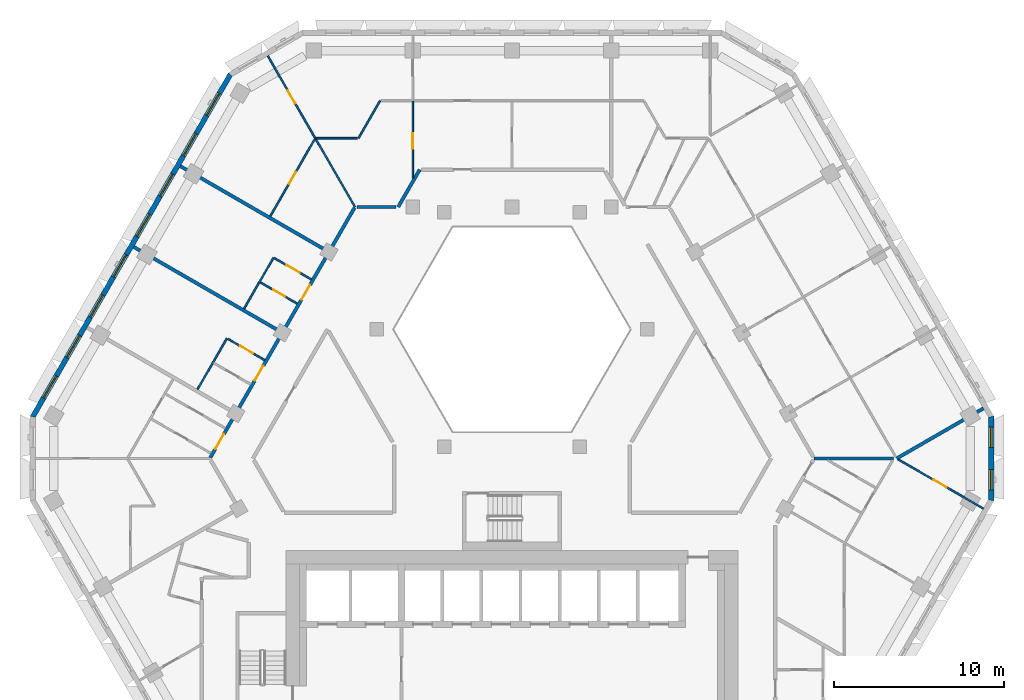
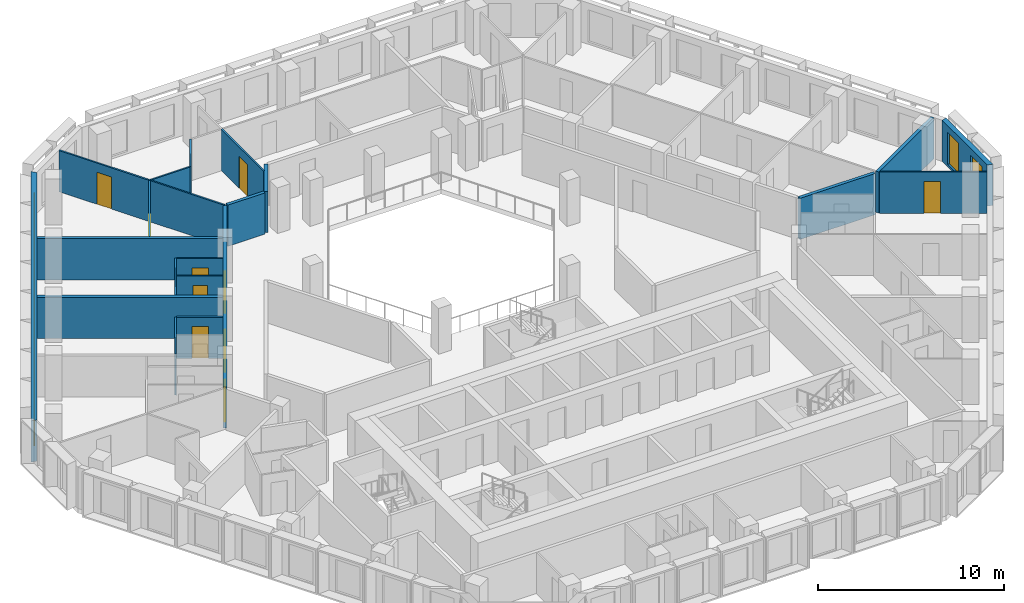
# One storey, part 7 of 17: 20 walls, 10 doors, 10 windows, 20 openings.
"""IFC4 building model written with IfcOpenShell, lengths in metres."""

from ifc_helpers import new_model, si_unit, direction, frame, frame_2d, origin, place, context, subcontext, project, spatial, polyline, rectangle, outline, extrude, material, layer, layer_set, type_object, element, fill, save


model = new_model("IFC4")

# Units and contexts
model_context = context("Model", 3, precision=1e-05, world=origin(), true_north=direction((0.0, 1.0)))
body_context = subcontext(model_context, "Body", "Model", "MODEL_VIEW")
ifc_project = project(units=[si_unit("LENGTHUNIT", "METRE"), si_unit("AREAUNIT", "SQUARE_METRE"), si_unit("VOLUMEUNIT", "CUBIC_METRE"), si_unit("PLANEANGLEUNIT", "RADIAN"), si_unit("MASSUNIT", "GRAM", prefix="KILO")], contexts=[model_context])

# Site, building, storey
site_placement = place(None, origin())
site = spatial("IfcSite", under=ifc_project, at=site_placement, CompositionType="ELEMENT")
building_placement = place(site_placement, origin())
building = spatial("IfcBuilding", under=site, at=building_placement, Name="Beryl Residences", CompositionType="ELEMENT")
storey_placement = place(building_placement, frame((0.0, 0.0, 120.60009765625)))
storey = spatial("IfcBuildingStorey", under=building, at=storey_placement, Name="L36", CompositionType="ELEMENT", Elevation=120.60009765625)

# Wall, openings, windows
ifc_material_1 = material(Name="Composite metal panel with mineral wool insulation")
ifc_layer_1 = layer(ifc_material_1, 0.300048828125)
ifc_layer_set_1 = layer_set([ifc_layer_1], Name="ES1 pale metal composite panel wall 300 mm")
wall_type_1 = type_object("IfcWallType", Name="ES1 pale metal composite panel wall 300 mm", PredefinedType="SOLIDWALL", material=ifc_layer_set_1)
wall_1_placement = place(storey_placement, frame((-16.554931640625, 23.02490234375, 0.0), z_axis=(0.0, 0.0, 1.0), x_axis=(-0.500020536353, -0.866013546791, 0.0)))
wall_1 = element("IfcWall", 1, at=wall_1_placement, inside=storey, type_object=wall_type_1, Name="ES1 external wall L36 NW", PredefinedType="SOLIDWALL", context=body_context, shape_type="SweptSolid", body=[
    extrude(outline(polyline([(0.0, -0.14990234375), (23.3251953125, -0.14990234375), (23.244873046875, 0.14990234375), (0.080322265625, 0.14990234375), (0.0, -0.14990234375)])), origin(), (0.0, 0.0, 1.0), 2.699951171875),
])
opening_1_placement = place(wall_1_placement, frame((1.31396484375, 0.0, 0.14990234375)))
opening_1 = element("IfcOpeningElement", 2, at=opening_1_placement, cuts=wall_1, Name="Opening W1", PredefinedType="OPENING", context=body_context, shape_type="SweptSolid", body=[
    extrude(rectangle(XDim=1.5, YDim=2.10009765625, at=frame_2d((0.75, 1.050048828125))), frame((0.0, 0.159912109375, 0.0), z_axis=(0.0, -1.0, 0.0), x_axis=(1.0, 0.0, 0.0)), (0.0, 0.0, 1.0), 0.320068359375),
])
opening_2_placement = place(wall_1_placement, frame((4.055908203125, 0.0, 0.14990234375)))
opening_2 = element("IfcOpeningElement", 3, at=opening_2_placement, cuts=wall_1, Name="Opening W1", PredefinedType="OPENING", context=body_context, shape_type="SweptSolid", body=[
    extrude(rectangle(XDim=1.5, YDim=2.10009765625, at=frame_2d((0.75, 1.050048828125))), frame((0.0, 0.159912109375, 0.0), z_axis=(0.0, -1.0, 0.0), x_axis=(1.0, 0.0, 0.0)), (0.0, 0.0, 1.0), 0.320068359375),
])
opening_3_placement = place(wall_1_placement, frame((6.799072265625, 0.0, 0.14990234375)))
opening_3 = element("IfcOpeningElement", 4, at=opening_3_placement, cuts=wall_1, Name="Opening W1", PredefinedType="OPENING", context=body_context, shape_type="SweptSolid", body=[
    extrude(rectangle(XDim=1.5, YDim=2.10009765625, at=frame_2d((0.75, 1.050048828125))), frame((0.0, 0.159912109375, 0.0), z_axis=(0.0, -1.0, 0.0), x_axis=(1.0, 0.0, 0.0)), (0.0, 0.0, 1.0), 0.320068359375),
])
opening_4_placement = place(wall_1_placement, frame((9.541015625, 0.0, 0.14990234375)))
opening_4 = element("IfcOpeningElement", 5, at=opening_4_placement, cuts=wall_1, Name="Opening W1", PredefinedType="OPENING", context=body_context, shape_type="SweptSolid", body=[
    extrude(rectangle(XDim=1.5, YDim=2.10009765625, at=frame_2d((0.75, 1.050048828125))), frame((0.0, 0.159912109375, 0.0), z_axis=(0.0, -1.0, 0.0), x_axis=(1.0, 0.0, 0.0)), (0.0, 0.0, 1.0), 0.320068359375),
])
opening_5_placement = place(wall_1_placement, frame((12.284912109375, 0.0, 0.14990234375)))
opening_5 = element("IfcOpeningElement", 6, at=opening_5_placement, cuts=wall_1, Name="Opening W1", PredefinedType="OPENING", context=body_context, shape_type="SweptSolid", body=[
    extrude(rectangle(XDim=1.5, YDim=2.10009765625, at=frame_2d((0.75, 1.050048828125))), frame((0.0, 0.159912109375, 0.0), z_axis=(0.0, -1.0, 0.0), x_axis=(1.0, 0.0, 0.0)), (0.0, 0.0, 1.0), 0.320068359375),
])
opening_6_placement = place(wall_1_placement, frame((15.027099609375, 0.0, 0.14990234375)))
opening_6 = element("IfcOpeningElement", 7, at=opening_6_placement, cuts=wall_1, Name="Opening W1", PredefinedType="OPENING", context=body_context, shape_type="SweptSolid", body=[
    extrude(rectangle(XDim=1.5, YDim=2.10009765625, at=frame_2d((0.75, 1.050048828125))), frame((0.0, 0.159912109375, 0.0), z_axis=(0.0, -1.0, 0.0), x_axis=(1.0, 0.0, 0.0)), (0.0, 0.0, 1.0), 0.320068359375),
])
opening_7_placement = place(wall_1_placement, frame((17.76904296875, 0.0, 0.14990234375)))
opening_7 = element("IfcOpeningElement", 8, at=opening_7_placement, cuts=wall_1, Name="Opening W1", PredefinedType="OPENING", context=body_context, shape_type="SweptSolid", body=[
    extrude(rectangle(XDim=1.5, YDim=2.10009765625, at=frame_2d((0.75, 1.050048828125))), frame((0.0, 0.159912109375, 0.0), z_axis=(0.0, -1.0, 0.0), x_axis=(1.0, 0.0, 0.0)), (0.0, 0.0, 1.0), 0.320068359375),
])
opening_8_placement = place(wall_1_placement, frame((20.511962890625, 0.0, 0.14990234375)))
opening_8 = element("IfcOpeningElement", 9, at=opening_8_placement, cuts=wall_1, Name="Opening W1", PredefinedType="OPENING", context=body_context, shape_type="SweptSolid", body=[
    extrude(rectangle(XDim=1.5, YDim=2.10009765625, at=frame_2d((0.75, 1.050048828125))), frame((0.0, 0.159912109375, 0.0), z_axis=(0.0, -1.0, 0.0), x_axis=(1.0, 0.0, 0.0)), (0.0, 0.0, 1.0), 0.320068359375),
])
ifc_material_2 = material(Name="Aluminium and clear glass", Category="aluminium")
window_type_1 = type_object("IfcWindowType", Name="W1 cell window 1500 x 2100 mm", PartitioningType="SINGLE_PANEL", PredefinedType="WINDOW", material=ifc_material_2)
window_1_placement = place(opening_1_placement, origin())
window_1 = element("IfcWindow", 10, at=window_1_placement, inside=storey, type_object=window_type_1, Name="W1 window L36 NW 1", OverallHeight=2.10009765625, OverallWidth=1.5, PartitioningType="SINGLE_PANEL", PredefinedType="WINDOW", context=body_context, shape_type="SweptSolid", body=[
    extrude(rectangle(XDim=1.5, YDim=2.10009765625, at=frame_2d((0.75, 1.050048828125))), frame((0.0, 0.030029296875, 0.0), z_axis=(0.0, -1.0, 0.0), x_axis=(1.0, 0.0, 0.0)), (0.0, 0.0, 1.0), 0.06005859375),
])
fill(opening_1, window_1)
window_2_placement = place(opening_2_placement, origin())
window_2 = element("IfcWindow", 11, at=window_2_placement, inside=storey, type_object=window_type_1, Name="W1 window L36 NW 2", OverallHeight=2.10009765625, OverallWidth=1.5, PartitioningType="SINGLE_PANEL", PredefinedType="WINDOW", context=body_context, shape_type="SweptSolid", body=[
    extrude(rectangle(XDim=1.5, YDim=2.10009765625, at=frame_2d((0.75, 1.050048828125))), frame((0.0, 0.030029296875, 0.0), z_axis=(0.0, -1.0, 0.0), x_axis=(1.0, 0.0, 0.0)), (0.0, 0.0, 1.0), 0.06005859375),
])
fill(opening_2, window_2)
window_3_placement = place(opening_3_placement, origin())
window_3 = element("IfcWindow", 12, at=window_3_placement, inside=storey, type_object=window_type_1, Name="W1 window L36 NW 3", OverallHeight=2.10009765625, OverallWidth=1.5, PartitioningType="SINGLE_PANEL", PredefinedType="WINDOW", context=body_context, shape_type="SweptSolid", body=[
    extrude(rectangle(XDim=1.5, YDim=2.10009765625, at=frame_2d((0.75, 1.050048828125))), frame((0.0, 0.030029296875, 0.0), z_axis=(0.0, -1.0, 0.0), x_axis=(1.0, 0.0, 0.0)), (0.0, 0.0, 1.0), 0.06005859375),
])
fill(opening_3, window_3)
window_4_placement = place(opening_4_placement, origin())
window_4 = element("IfcWindow", 13, at=window_4_placement, inside=storey, type_object=window_type_1, Name="W1 window L36 NW 4", OverallHeight=2.10009765625, OverallWidth=1.5, PartitioningType="SINGLE_PANEL", PredefinedType="WINDOW", context=body_context, shape_type="SweptSolid", body=[
    extrude(rectangle(XDim=1.5, YDim=2.10009765625, at=frame_2d((0.75, 1.050048828125))), frame((0.0, 0.030029296875, 0.0), z_axis=(0.0, -1.0, 0.0), x_axis=(1.0, 0.0, 0.0)), (0.0, 0.0, 1.0), 0.06005859375),
])
fill(opening_4, window_4)
window_5_placement = place(opening_5_placement, origin())
window_5 = element("IfcWindow", 14, at=window_5_placement, inside=storey, type_object=window_type_1, Name="W1 window L36 NW 5", OverallHeight=2.10009765625, OverallWidth=1.5, PartitioningType="SINGLE_PANEL", PredefinedType="WINDOW", context=body_context, shape_type="SweptSolid", body=[
    extrude(rectangle(XDim=1.5, YDim=2.10009765625, at=frame_2d((0.75, 1.050048828125))), frame((0.0, 0.030029296875, 0.0), z_axis=(0.0, -1.0, 0.0), x_axis=(1.0, 0.0, 0.0)), (0.0, 0.0, 1.0), 0.06005859375),
])
fill(opening_5, window_5)
window_6_placement = place(opening_6_placement, origin())
window_6 = element("IfcWindow", 15, at=window_6_placement, inside=storey, type_object=window_type_1, Name="W1 window L36 NW 6", OverallHeight=2.10009765625, OverallWidth=1.5, PartitioningType="SINGLE_PANEL", PredefinedType="WINDOW", context=body_context, shape_type="SweptSolid", body=[
    extrude(rectangle(XDim=1.5, YDim=2.10009765625, at=frame_2d((0.75, 1.050048828125))), frame((0.0, 0.030029296875, 0.0), z_axis=(0.0, -1.0, 0.0), x_axis=(1.0, 0.0, 0.0)), (0.0, 0.0, 1.0), 0.06005859375),
])
fill(opening_6, window_6)
window_7_placement = place(opening_7_placement, origin())
window_7 = element("IfcWindow", 16, at=window_7_placement, inside=storey, type_object=window_type_1, Name="W1 window L36 NW 7", OverallHeight=2.10009765625, OverallWidth=1.5, PartitioningType="SINGLE_PANEL", PredefinedType="WINDOW", context=body_context, shape_type="SweptSolid", body=[
    extrude(rectangle(XDim=1.5, YDim=2.10009765625, at=frame_2d((0.75, 1.050048828125))), frame((0.0, 0.030029296875, 0.0), z_axis=(0.0, -1.0, 0.0), x_axis=(1.0, 0.0, 0.0)), (0.0, 0.0, 1.0), 0.06005859375),
])
fill(opening_7, window_7)
window_8_placement = place(opening_8_placement, origin())
window_8 = element("IfcWindow", 17, at=window_8_placement, inside=storey, type_object=window_type_1, Name="W1 window L36 NW 8", OverallHeight=2.10009765625, OverallWidth=1.5, PartitioningType="SINGLE_PANEL", PredefinedType="WINDOW", context=body_context, shape_type="SweptSolid", body=[
    extrude(rectangle(XDim=1.5, YDim=2.10009765625, at=frame_2d((0.75, 1.050048828125))), frame((0.0, 0.030029296875, 0.0), z_axis=(0.0, -1.0, 0.0), x_axis=(1.0, 0.0, 0.0)), (0.0, 0.0, 1.0), 0.06005859375),
])
fill(opening_8, window_8)

wall_2_placement = place(storey_placement, frame((28.197998046875, -2.10009765625, 0.0), z_axis=(0.0, 0.0, 1.0), x_axis=(0.0, 1.0, 0.0)))
wall_2 = element("IfcWall", 18, at=wall_2_placement, inside=storey, type_object=wall_type_1, Name="ES1 external wall L36 SE-NE", PredefinedType="SOLIDWALL", context=body_context, shape_type="SweptSolid", body=[
    extrude(outline(polyline([(0.0, -0.14990234375), (5.0, -0.14990234375), (4.919677734375, 0.14990234375), (0.080322265625, 0.14990234375), (0.0, -0.14990234375)])), origin(), (0.0, 0.0, 1.0), 2.699951171875),
])
opening_9_placement = place(wall_2_placement, frame((0.64990234375, 0.0, 0.14990234375)))
opening_9 = element("IfcOpeningElement", 19, at=opening_9_placement, cuts=wall_2, Name="Opening W2", PredefinedType="OPENING", context=body_context, shape_type="SweptSolid", body=[
    extrude(rectangle(XDim=1.199951171875, YDim=2.10009765625, at=frame_2d((0.60009765625, 1.050048828125))), frame((0.0, 0.159912109375, 0.0), z_axis=(0.0, -1.0, 0.0), x_axis=(1.0, 0.0, 0.0)), (0.0, 0.0, 1.0), 0.320068359375),
])
opening_10_placement = place(wall_2_placement, frame((3.14990234375, 0.0, 0.14990234375)))
opening_10 = element("IfcOpeningElement", 20, at=opening_10_placement, cuts=wall_2, Name="Opening W2", PredefinedType="OPENING", context=body_context, shape_type="SweptSolid", body=[
    extrude(rectangle(XDim=1.199951171875, YDim=2.10009765625, at=frame_2d((0.60009765625, 1.050048828125))), frame((0.0, 0.159912109375, 0.0), z_axis=(0.0, -1.0, 0.0), x_axis=(1.0, 0.0, 0.0)), (0.0, 0.0, 1.0), 0.320068359375),
])
ifc_material_3 = material(Name="Aluminium and clear glass", Category="aluminium")
window_type_2 = type_object("IfcWindowType", Name="W2 chamfer window 1200 x 2100 mm", PartitioningType="SINGLE_PANEL", PredefinedType="WINDOW", material=ifc_material_3)
window_9_placement = place(opening_9_placement, origin())
window_9 = element("IfcWindow", 21, at=window_9_placement, inside=storey, type_object=window_type_2, Name="W2 window L36 SE-NE 1", OverallHeight=2.10009765625, OverallWidth=1.199951171875, PartitioningType="SINGLE_PANEL", PredefinedType="WINDOW", context=body_context, shape_type="SweptSolid", body=[
    extrude(rectangle(XDim=1.199951171875, YDim=2.10009765625, at=frame_2d((0.60009765625, 1.050048828125))), frame((0.0, 0.030029296875, 0.0), z_axis=(0.0, -1.0, 0.0), x_axis=(1.0, 0.0, 0.0)), (0.0, 0.0, 1.0), 0.06005859375),
])
fill(opening_9, window_9)
window_10_placement = place(opening_10_placement, origin())
window_10 = element("IfcWindow", 22, at=window_10_placement, inside=storey, type_object=window_type_2, Name="W2 window L36 SE-NE 2", OverallHeight=2.10009765625, OverallWidth=1.199951171875, PartitioningType="SINGLE_PANEL", PredefinedType="WINDOW", context=body_context, shape_type="SweptSolid", body=[
    extrude(rectangle(XDim=1.199951171875, YDim=2.10009765625, at=frame_2d((0.60009765625, 1.050048828125))), frame((0.0, 0.030029296875, 0.0), z_axis=(0.0, -1.0, 0.0), x_axis=(1.0, 0.0, 0.0)), (0.0, 0.0, 1.0), 0.06005859375),
])
fill(opening_10, window_10)

# Wall, opening, door
ifc_material_4 = material(Name="Gypsum board partition on steel studs", Category="steel")
ifc_layer_2 = layer(ifc_material_4, 0.10009765625)
ifc_layer_set_2 = layer_set([ifc_layer_2], Name="PT1 partition 100 mm gypsum board on steel studs")
wall_type_2 = type_object("IfcWallType", Name="PT1 partition 100 mm gypsum board on steel studs", PredefinedType="PARTITIONING", material=ifc_layer_set_2)
wall_3_placement = place(storey_placement, frame((-14.3701171875, 24.090087890625, 0.0), z_axis=(0.0, 0.0, 1.0), x_axis=(0.50002438799, -0.866011322914, 0.0)))
wall_3 = element("IfcWall", 23, at=wall_3_placement, inside=storey, type_object=wall_type_2, Name="Wall PT1 L36 001", PredefinedType="PARTITIONING", context=body_context, shape_type="SweptSolid", body=[
    extrude(rectangle(XDim=10.265625, YDim=0.10009765625, at=frame_2d((5.1328125, 0.0))), origin(), (0.0, 0.0, 1.0), 2.699951171875),
])
opening_11_placement = place(wall_3_placement, frame((2.346923828125, 0.0, 0.0)))
opening_11 = element("IfcOpeningElement", 24, at=opening_11_placement, cuts=wall_3, Name="Opening D1013", PredefinedType="OPENING", context=body_context, shape_type="SweptSolid", body=[
    extrude(rectangle(XDim=0.89990234375, YDim=2.10009765625, at=frame_2d((0.449951171875, 1.050048828125))), frame((0.0, 0.06005859375, 0.0), z_axis=(0.0, -1.0, 0.0), x_axis=(1.0, 0.0, 0.0)), (0.0, 0.0, 1.0), 0.1201171875),
])
ifc_material_5 = material(Name="Timber door leaf", Category="wood")
door_type_1 = type_object("IfcDoorType", Name="D2 room door 900 x 2100 mm", OperationType="SINGLE_SWING_LEFT", PredefinedType="DOOR", material=ifc_material_5)
door_1_placement = place(opening_11_placement, origin())
door_1 = element("IfcDoor", 25, at=door_1_placement, inside=storey, type_object=door_type_1, Name="Door D1013 L36 001", OperationType="SINGLE_SWING_LEFT", OverallHeight=2.10009765625, OverallWidth=0.89990234375, PredefinedType="DOOR", context=body_context, shape_type="SweptSolid", body=[
    extrude(rectangle(XDim=0.89990234375, YDim=2.10009765625, at=frame_2d((0.449951171875, 1.050048828125))), frame((0.0, 0.02490234375, 0.0), z_axis=(0.0, -1.0, 0.0), x_axis=(1.0, 0.0, 0.0)), (0.0, 0.0, 1.0), 0.050048828125),
])
fill(opening_11, door_1)

wall_4_placement = place(storey_placement, frame((-16.72900390625, 7.44189453125, 0.0), z_axis=(0.0, 0.0, 1.0), x_axis=(0.865983051302, -0.500073349477, 0.0)))
wall_4 = element("IfcWall", 26, at=wall_4_placement, inside=storey, type_object=wall_type_2, Name="Wall PT1 L36 015", PredefinedType="PARTITIONING", context=body_context, shape_type="SweptSolid", body=[
    extrude(rectangle(XDim=2.50927734375, YDim=0.10009765625, at=frame_2d((1.254638671875, 0.0))), origin(), (0.0, 0.0, 1.0), 2.699951171875),
])
opening_12_placement = place(wall_4_placement, frame((0.8291015625, 0.0, 0.0)))
opening_12 = element("IfcOpeningElement", 27, at=opening_12_placement, cuts=wall_4, Name="Opening D1019", PredefinedType="OPENING", context=body_context, shape_type="SweptSolid", body=[
    extrude(rectangle(XDim=0.89990234375, YDim=2.10009765625, at=frame_2d((0.449951171875, 1.050048828125))), frame((0.0, 0.06005859375, 0.0), z_axis=(0.0, -1.0, 0.0), x_axis=(1.0, 0.0, 0.0)), (0.0, 0.0, 1.0), 0.1201171875),
])
door_2_placement = place(opening_12_placement, origin())
door_2 = element("IfcDoor", 28, at=door_2_placement, inside=storey, type_object=door_type_1, Name="Door D1019 L36 001", OperationType="SINGLE_SWING_LEFT", OverallHeight=2.10009765625, OverallWidth=0.89990234375, PredefinedType="DOOR", context=body_context, shape_type="SweptSolid", body=[
    extrude(rectangle(XDim=0.89990234375, YDim=2.10009765625, at=frame_2d((0.449951171875, 1.050048828125))), frame((0.0, 0.02490234375, 0.0), z_axis=(0.0, -1.0, 0.0), x_axis=(1.0, 0.0, 0.0)), (0.0, 0.0, 1.0), 0.050048828125),
])
fill(opening_12, door_2)

wall_5_placement = place(storey_placement, frame((-13.987060546875, 12.19189453125, 0.0), z_axis=(0.0, 0.0, 1.0), x_axis=(0.865983051302, -0.500073349477, 0.0)))
wall_5 = element("IfcWall", 29, at=wall_5_placement, inside=storey, type_object=wall_type_2, Name="Wall PT1 L36 016", PredefinedType="PARTITIONING", context=body_context, shape_type="SweptSolid", body=[
    extrude(rectangle(XDim=2.50927734375, YDim=0.10009765625, at=frame_2d((1.254638671875, 0.0))), origin(), (0.0, 0.0, 1.0), 2.699951171875),
])
opening_13_placement = place(wall_5_placement, frame((0.8291015625, 0.0, 0.0)))
opening_13 = element("IfcOpeningElement", 30, at=opening_13_placement, cuts=wall_5, Name="Opening D1016", PredefinedType="OPENING", context=body_context, shape_type="SweptSolid", body=[
    extrude(rectangle(XDim=0.89990234375, YDim=2.10009765625, at=frame_2d((0.449951171875, 1.050048828125))), frame((0.0, 0.06005859375, 0.0), z_axis=(0.0, -1.0, 0.0), x_axis=(1.0, 0.0, 0.0)), (0.0, 0.0, 1.0), 0.1201171875),
])
door_3_placement = place(opening_13_placement, origin())
door_3 = element("IfcDoor", 31, at=door_3_placement, inside=storey, type_object=door_type_1, Name="Door D1016 L36 001", OperationType="SINGLE_SWING_RIGHT", OverallHeight=2.10009765625, OverallWidth=0.89990234375, PredefinedType="DOOR", context=body_context, shape_type="SweptSolid", body=[
    extrude(rectangle(XDim=0.89990234375, YDim=2.10009765625, at=frame_2d((0.449951171875, 1.050048828125))), frame((0.0, 0.02490234375, 0.0), z_axis=(0.0, -1.0, 0.0), x_axis=(1.0, 0.0, 0.0)), (0.0, 0.0, 1.0), 0.050048828125),
])
fill(opening_13, door_3)

wall_6_placement = place(storey_placement, frame((22.72900390625, 0.343017578125, 0.0), z_axis=(0.0, 0.0, 1.0), x_axis=(0.865996608848, -0.500049870977, 0.0)))
wall_6 = element("IfcWall", 32, at=wall_6_placement, inside=storey, type_object=wall_type_2, Name="Wall PT1 L36 020", PredefinedType="PARTITIONING", context=body_context, shape_type="SweptSolid", body=[
    extrude(rectangle(XDim=5.78759765625, YDim=0.10009765625, at=frame_2d((2.893798828125, 0.0))), origin(), (0.0, 0.0, 1.0), 2.699951171875),
])
opening_14_placement = place(wall_6_placement, frame((2.385986328125, 0.0, 0.0)))
opening_14 = element("IfcOpeningElement", 33, at=opening_14_placement, cuts=wall_6, Name="Opening D1047", PredefinedType="OPENING", context=body_context, shape_type="SweptSolid", body=[
    extrude(rectangle(XDim=0.89990234375, YDim=2.10009765625, at=frame_2d((0.449951171875, 1.050048828125))), frame((0.0, 0.06005859375, 0.0), z_axis=(0.0, -1.0, 0.0), x_axis=(1.0, 0.0, 0.0)), (0.0, 0.0, 1.0), 0.1201171875),
])
door_4_placement = place(opening_14_placement, origin())
door_4 = element("IfcDoor", 34, at=door_4_placement, inside=storey, type_object=door_type_1, Name="Door D1047 L36 001", OperationType="SINGLE_SWING_LEFT", OverallHeight=2.10009765625, OverallWidth=0.89990234375, PredefinedType="DOOR", context=body_context, shape_type="SweptSolid", body=[
    extrude(rectangle(XDim=0.89990234375, YDim=2.10009765625, at=frame_2d((0.449951171875, 1.050048828125))), frame((0.0, 0.02490234375, 0.0), z_axis=(0.0, -1.0, 0.0), x_axis=(1.0, 0.0, 0.0)), (0.0, 0.0, 1.0), 0.050048828125),
])
fill(opening_14, door_4)

wall_7_placement = place(storey_placement, frame((-14.81005859375, 10.76708984375, 0.0), z_axis=(0.0, 0.0, 1.0), x_axis=(0.866038211682, -0.499977815414, 0.0)))
wall_7 = element("IfcWall", 35, at=wall_7_placement, inside=storey, type_object=wall_type_2, Name="Wall PT1 L36 021", PredefinedType="PARTITIONING", context=body_context, shape_type="SweptSolid", body=[
    extrude(rectangle(XDim=2.51025390625, YDim=0.10009765625, at=frame_2d((1.255126953125, 0.0))), origin(), (0.0, 0.0, 1.0), 2.699951171875),
])
opening_15_placement = place(wall_7_placement, frame((0.8798828125, 0.0, 0.0)))
opening_15 = element("IfcOpeningElement", 36, at=opening_15_placement, cuts=wall_7, Name="Opening D1017", PredefinedType="OPENING", context=body_context, shape_type="SweptSolid", body=[
    extrude(rectangle(XDim=0.800048828125, YDim=2.10009765625, at=frame_2d((0.39990234375, 1.050048828125))), frame((0.0, 0.06005859375, 0.0), z_axis=(0.0, -1.0, 0.0), x_axis=(1.0, 0.0, 0.0)), (0.0, 0.0, 1.0), 0.1201171875),
])
ifc_material_6 = material(Name="Timber door leaf", Category="wood")
door_type_2 = type_object("IfcDoorType", Name="D3 bathroom door 800 x 2100 mm", OperationType="SINGLE_SWING_LEFT", PredefinedType="DOOR", material=ifc_material_6)
door_5_placement = place(opening_15_placement, origin())
door_5 = element("IfcDoor", 37, at=door_5_placement, inside=storey, type_object=door_type_2, Name="Door D1017 L36 001", OperationType="SINGLE_SWING_LEFT", OverallHeight=2.10009765625, OverallWidth=0.800048828125, PredefinedType="DOOR", context=body_context, shape_type="SweptSolid", body=[
    extrude(rectangle(XDim=0.800048828125, YDim=2.10009765625, at=frame_2d((0.39990234375, 1.050048828125))), frame((0.0, 0.02490234375, 0.0), z_axis=(0.0, -1.0, 0.0), x_axis=(1.0, 0.0, 0.0)), (0.0, 0.0, 1.0), 0.050048828125),
])
fill(opening_15, door_5)

# Walls
wall_8_placement = place(storey_placement, frame((-11.51611328125, 19.24609375, 0.0), z_axis=(0.0, 0.0, 1.0), x_axis=(1.0, 0.0, 0.0)))
element("IfcWall", 38, at=wall_8_placement, inside=storey, type_object=wall_type_2, Name="Wall PT1 L36 027", PredefinedType="PARTITIONING", context=body_context, shape_type="SweptSolid", body=[
    extrude(rectangle(XDim=2.425048828125, YDim=0.10009765625, at=frame_2d((1.21240234375, 0.0))), origin(), (0.0, 0.0, 1.0), 2.699951171875),
])
wall_9_placement = place(storey_placement, frame((-9.032958984375, 19.24609375, 0.0), z_axis=(0.0, 0.0, 1.0), x_axis=(0.499963722229, 0.866046347752, 0.0)))
element("IfcWall", 39, at=wall_9_placement, inside=storey, type_object=wall_type_2, Name="Wall PT1 L36 032", PredefinedType="PARTITIONING", context=body_context, shape_type="SweptSolid", body=[
    extrude(rectangle(XDim=2.540283203125, YDim=0.10009765625, at=frame_2d((1.27001953125, 0.0))), origin(), (0.0, 0.0, 1.0), 2.699951171875),
])
wall_10_placement = place(storey_placement, frame((-18.506103515625, 4.466064453125, 0.0), z_axis=(0.0, 0.0, 1.0), x_axis=(0.500027479704, 0.866009537788, 0.0)))
element("IfcWall", 40, at=wall_10_placement, inside=storey, type_object=wall_type_2, Name="Wall PT1 L36 033", PredefinedType="PARTITIONING", context=body_context, shape_type="SweptSolid", body=[
    extrude(rectangle(XDim=3.464111328125, YDim=0.10009765625, at=frame_2d((1.73193359375, 0.0))), origin(), (0.0, 0.0, 1.0), 2.699951171875),
])
wall_11_placement = place(storey_placement, frame((-15.762939453125, 9.217041015625, 0.0), z_axis=(0.0, 0.0, 1.0), x_axis=(0.500096714907, 0.865969558206, 0.0)))
element("IfcWall", 41, at=wall_11_placement, inside=storey, type_object=wall_type_2, Name="Wall PT1 L36 034", PredefinedType="PARTITIONING", context=body_context, shape_type="SweptSolid", body=[
    extrude(rectangle(XDim=3.463134765625, YDim=0.10009765625, at=frame_2d((1.7314453125, 0.0))), origin(), (0.0, 0.0, 1.0), 2.699951171875),
])

# Wall, opening, door
wall_12_placement = place(storey_placement, frame((-14.221923828125, 14.658935546875, 0.0), z_axis=(0.0, 0.0, 1.0), x_axis=(0.500053212623, 0.865994679283, 0.0)))
wall_12 = element("IfcWall", 42, at=wall_12_placement, inside=storey, type_object=wall_type_2, Name="Wall PT1 L36 035", PredefinedType="PARTITIONING", context=body_context, shape_type="SweptSolid", body=[
    extrude(rectangle(XDim=5.2392578125, YDim=0.10009765625, at=frame_2d((2.61962890625, 0.0))), origin(), (0.0, 0.0, 1.0), 2.699951171875),
])
opening_16_placement = place(wall_12_placement, frame((2.197998046875, 0.0, 0.0)))
opening_16 = element("IfcOpeningElement", 43, at=opening_16_placement, cuts=wall_12, Name="Opening D1014", PredefinedType="OPENING", context=body_context, shape_type="SweptSolid", body=[
    extrude(rectangle(XDim=0.800048828125, YDim=2.10009765625, at=frame_2d((0.39990234375, 1.050048828125))), frame((0.0, 0.06005859375, 0.0), z_axis=(0.0, -1.0, 0.0), x_axis=(1.0, 0.0, 0.0)), (0.0, 0.0, 1.0), 0.1201171875),
])
door_6_placement = place(opening_16_placement, origin())
door_6 = element("IfcDoor", 44, at=door_6_placement, inside=storey, type_object=door_type_2, Name="Door D1014 L36 001", OperationType="SINGLE_SWING_RIGHT", OverallHeight=2.10009765625, OverallWidth=0.800048828125, PredefinedType="DOOR", context=body_context, shape_type="SweptSolid", body=[
    extrude(rectangle(XDim=0.800048828125, YDim=2.10009765625, at=frame_2d((0.39990234375, 1.050048828125))), frame((0.0, 0.02490234375, 0.0), z_axis=(0.0, -1.0, 0.0), x_axis=(1.0, 0.0, 0.0)), (0.0, 0.0, 1.0), 0.050048828125),
])
fill(opening_16, door_6)

wall_13_placement = place(storey_placement, frame((-5.8310546875, 16.89990234375, 0.0), z_axis=(0.0, 0.0, 1.0), x_axis=(0.0, 1.0, 0.0)))
wall_13 = element("IfcWall", 45, at=wall_13_placement, inside=storey, type_object=wall_type_2, Name="Wall PT1 L36 046", PredefinedType="PARTITIONING", context=body_context, shape_type="SweptSolid", body=[
    extrude(rectangle(XDim=4.546142578125, YDim=0.10009765625, at=frame_2d((2.27294921875, 0.0))), origin(), (0.0, 0.0, 1.0), 2.699951171875),
])
opening_17_placement = place(wall_13_placement, frame((1.722900390625, 0.0, 0.0)))
opening_17 = element("IfcOpeningElement", 46, at=opening_17_placement, cuts=wall_13, Name="Opening D1010", PredefinedType="OPENING", context=body_context, shape_type="SweptSolid", body=[
    extrude(rectangle(XDim=0.89990234375, YDim=2.10009765625, at=frame_2d((0.449951171875, 1.050048828125))), frame((0.0, 0.06005859375, 0.0), z_axis=(0.0, -1.0, 0.0), x_axis=(1.0, 0.0, 0.0)), (0.0, 0.0, 1.0), 0.1201171875),
])
door_7_placement = place(opening_17_placement, origin())
door_7 = element("IfcDoor", 47, at=door_7_placement, inside=storey, type_object=door_type_1, Name="Door D1010 L36 001", OperationType="SINGLE_SWING_RIGHT", OverallHeight=2.10009765625, OverallWidth=0.89990234375, PredefinedType="DOOR", context=body_context, shape_type="SweptSolid", body=[
    extrude(rectangle(XDim=0.89990234375, YDim=2.10009765625, at=frame_2d((0.449951171875, 1.050048828125))), frame((0.0, 0.02490234375, 0.0), z_axis=(0.0, -1.0, 0.0), x_axis=(1.0, 0.0, 0.0)), (0.0, 0.0, 1.0), 0.050048828125),
])
fill(opening_17, door_7)

# Walls
ifc_material_7 = material(Name="Acoustic double stud gypsum board wall")
ifc_layer_3 = layer(ifc_material_7, 0.199951171875)
ifc_layer_set_3 = layer_set([ifc_layer_3], Name="PT3 party wall 200 mm acoustic double stud")
wall_type_3 = type_object("IfcWallType", Name="PT3 party wall 200 mm acoustic double stud", PredefinedType="PARTITIONING", material=ifc_layer_set_3)
wall_14_placement = place(storey_placement, frame((-22.257080078125, 12.85009765625, 0.0), z_axis=(0.0, 0.0, 1.0), x_axis=(0.866047370643, -0.499961950354, 0.0)))
element("IfcWall", 48, at=wall_14_placement, inside=storey, type_object=wall_type_3, Name="Wall PT3 L36 003", PredefinedType="PARTITIONING", context=body_context, shape_type="SweptSolid", body=[
    extrude(rectangle(XDim=10.000732421875, YDim=0.199951171875, at=frame_2d((5.00048828125, 0.0))), origin(), (0.0, 0.0, 1.0), 2.699951171875),
])
wall_15_placement = place(storey_placement, frame((-19.513916015625, 17.59912109375, 0.0), z_axis=(0.0, 0.0, 1.0), x_axis=(0.866059142644, -0.499941558027, 0.0)))
element("IfcWall", 49, at=wall_15_placement, inside=storey, type_object=wall_type_3, Name="Wall PT3 L36 005", PredefinedType="PARTITIONING", context=body_context, shape_type="SweptSolid", body=[
    extrude(rectangle(XDim=9.999267578125, YDim=0.199951171875, at=frame_2d((4.99951171875, 0.0))), origin(), (0.0, 0.0, 1.0), 2.699951171875),
])
wall_16_placement = place(storey_placement, frame((17.781982421875, 0.40087890625, 0.0), z_axis=(0.0, 0.0, 1.0), x_axis=(1.0, 0.0, 0.0)))
element("IfcWall", 50, at=wall_16_placement, inside=storey, type_object=wall_type_3, Name="Wall PT3 L36 006", PredefinedType="PARTITIONING", context=body_context, shape_type="SweptSolid", body=[
    extrude(rectangle(XDim=4.674072265625, YDim=0.199951171875, at=frame_2d((2.3369140625, 0.0))), origin(), (0.0, 0.0, 1.0), 2.699951171875),
])
wall_17_placement = place(storey_placement, frame((22.634033203125, 0.40087890625, 0.0), z_axis=(0.0, 0.0, 1.0), x_axis=(0.86601325737, 0.500021037617, 0.0)))
element("IfcWall", 51, at=wall_17_placement, inside=storey, type_object=wall_type_3, Name="Wall PT3 L36 010", PredefinedType="PARTITIONING", context=body_context, shape_type="SweptSolid", body=[
    extrude(rectangle(XDim=5.898193359375, YDim=0.199951171875, at=frame_2d((2.94921875, 0.0))), origin(), (0.0, 0.0, 1.0), 2.699951171875),
])
ifc_material_8 = material(Name="Double stud gypsum board wall")
ifc_layer_4 = layer(ifc_material_8, 0.199951171875)
ifc_layer_set_4 = layer_set([ifc_layer_4], Name="PT4 corridor wall 200 mm double stud")
wall_type_4 = type_object("IfcWallType", Name="PT4 corridor wall 200 mm double stud", PredefinedType="PARTITIONING", material=ifc_layer_set_4)
wall_18_placement = place(storey_placement, frame((-9.12109375, 15.199951171875, 0.0), z_axis=(0.0, 0.0, 1.0), x_axis=(1.0, 0.0, 0.0)))
element("IfcWall", 52, at=wall_18_placement, inside=storey, type_object=wall_type_4, Name="Wall PT4 L36 014", PredefinedType="PARTITIONING", context=body_context, shape_type="SweptSolid", body=[
    extrude(rectangle(XDim=2.30810546875, YDim=0.199951171875, at=frame_2d((1.154052734375, 0.0))), origin(), (0.0, 0.0, 1.0), 2.699951171875),
])
wall_19_placement = place(storey_placement, frame((-6.697021484375, 15.199951171875, 0.0), z_axis=(0.0, 0.0, 1.0), x_axis=(0.499963722229, 0.866046347752, 0.0)))
element("IfcWall", 53, at=wall_19_placement, inside=storey, type_object=wall_type_4, Name="Wall PT4 L36 021", PredefinedType="PARTITIONING", context=body_context, shape_type="SweptSolid", body=[
    extrude(rectangle(XDim=2.540283203125, YDim=0.199951171875, at=frame_2d((1.27001953125, 0.0))), origin(), (0.0, 0.0, 1.0), 2.699951171875),
])

# Wall, openings, doors
wall_20_placement = place(storey_placement, frame((-17.7529296875, 0.449951171875, 0.0), z_axis=(0.0, 0.0, 1.0), x_axis=(0.499990970252, 0.866030617049, 0.0)))
wall_20 = element("IfcWall", 54, at=wall_20_placement, inside=storey, type_object=wall_type_4, Name="Wall PT4 L36 022", PredefinedType="PARTITIONING", context=body_context, shape_type="SweptSolid", body=[
    extrude(rectangle(XDim=16.973876953125, YDim=0.199951171875, at=frame_2d((8.48681640625, 0.0))), origin(), (0.0, 0.0, 1.0), 2.699951171875),
])
opening_18_placement = place(wall_20_placement, frame((10.72998046875, 0.0, 0.0)))
opening_18 = element("IfcOpeningElement", 55, at=opening_18_placement, cuts=wall_20, Name="Opening D1015", PredefinedType="OPENING", context=body_context, shape_type="SweptSolid", body=[
    extrude(rectangle(XDim=1.0, YDim=2.10009765625, at=frame_2d((0.5, 1.050048828125))), frame((0.0, 0.10986328125, 0.0), z_axis=(0.0, -1.0, 0.0), x_axis=(1.0, 0.0, 0.0)), (0.0, 0.0, 1.0), 0.219970703125),
])
opening_19_placement = place(wall_20_placement, frame((5.2451171875, 0.0, 0.0)))
opening_19 = element("IfcOpeningElement", 56, at=opening_19_placement, cuts=wall_20, Name="Opening D1018", PredefinedType="OPENING", context=body_context, shape_type="SweptSolid", body=[
    extrude(rectangle(XDim=1.0, YDim=2.10009765625, at=frame_2d((0.5, 1.050048828125))), frame((0.0, 0.10986328125, 0.0), z_axis=(0.0, -1.0, 0.0), x_axis=(1.0, 0.0, 0.0)), (0.0, 0.0, 1.0), 0.219970703125),
])
opening_20_placement = place(wall_20_placement, frame((0.593994140625, 0.0, 0.0)))
opening_20 = element("IfcOpeningElement", 57, at=opening_20_placement, cuts=wall_20, Name="Opening D1021", PredefinedType="OPENING", context=body_context, shape_type="SweptSolid", body=[
    extrude(rectangle(XDim=1.0, YDim=2.10009765625, at=frame_2d((0.5, 1.050048828125))), frame((0.0, 0.10986328125, 0.0), z_axis=(0.0, -1.0, 0.0), x_axis=(1.0, 0.0, 0.0)), (0.0, 0.0, 1.0), 0.219970703125),
])
ifc_material_9 = material(Name="Timber door leaf", Category="wood")
door_type_3 = type_object("IfcDoorType", Name="D1 flat entrance door 1000 x 2100 mm", OperationType="SINGLE_SWING_LEFT", PredefinedType="DOOR", material=ifc_material_9)
door_8_placement = place(opening_18_placement, origin())
door_8 = element("IfcDoor", 58, at=door_8_placement, inside=storey, type_object=door_type_3, Name="Door D1015 L36 001", OperationType="SINGLE_SWING_LEFT", OverallHeight=2.10009765625, OverallWidth=1.0, PredefinedType="DOOR", context=body_context, shape_type="SweptSolid", body=[
    extrude(rectangle(XDim=1.0, YDim=2.10009765625, at=frame_2d((0.5, 1.050048828125))), frame((0.0, 0.02490234375, 0.0), z_axis=(0.0, -1.0, 0.0), x_axis=(1.0, 0.0, 0.0)), (0.0, 0.0, 1.0), 0.050048828125),
])
fill(opening_18, door_8)
door_9_placement = place(opening_19_placement, origin())
door_9 = element("IfcDoor", 59, at=door_9_placement, inside=storey, type_object=door_type_3, Name="Door D1018 L36 001", OperationType="SINGLE_SWING_RIGHT", OverallHeight=2.10009765625, OverallWidth=1.0, PredefinedType="DOOR", context=body_context, shape_type="SweptSolid", body=[
    extrude(rectangle(XDim=1.0, YDim=2.10009765625, at=frame_2d((0.5, 1.050048828125))), frame((0.0, 0.02490234375, 0.0), z_axis=(0.0, -1.0, 0.0), x_axis=(1.0, 0.0, 0.0)), (0.0, 0.0, 1.0), 0.050048828125),
])
fill(opening_19, door_9)
door_10_placement = place(opening_20_placement, origin())
door_10 = element("IfcDoor", 60, at=door_10_placement, inside=storey, type_object=door_type_3, Name="Door D1021 L36 001", OperationType="SINGLE_SWING_LEFT", OverallHeight=2.10009765625, OverallWidth=1.0, PredefinedType="DOOR", context=body_context, shape_type="SweptSolid", body=[
    extrude(rectangle(XDim=1.0, YDim=2.10009765625, at=frame_2d((0.5, 1.050048828125))), frame((0.0, 0.02490234375, 0.0), z_axis=(0.0, -1.0, 0.0), x_axis=(1.0, 0.0, 0.0)), (0.0, 0.0, 1.0), 0.050048828125),
])
fill(opening_20, door_10)

save(model, "model.ifc")
